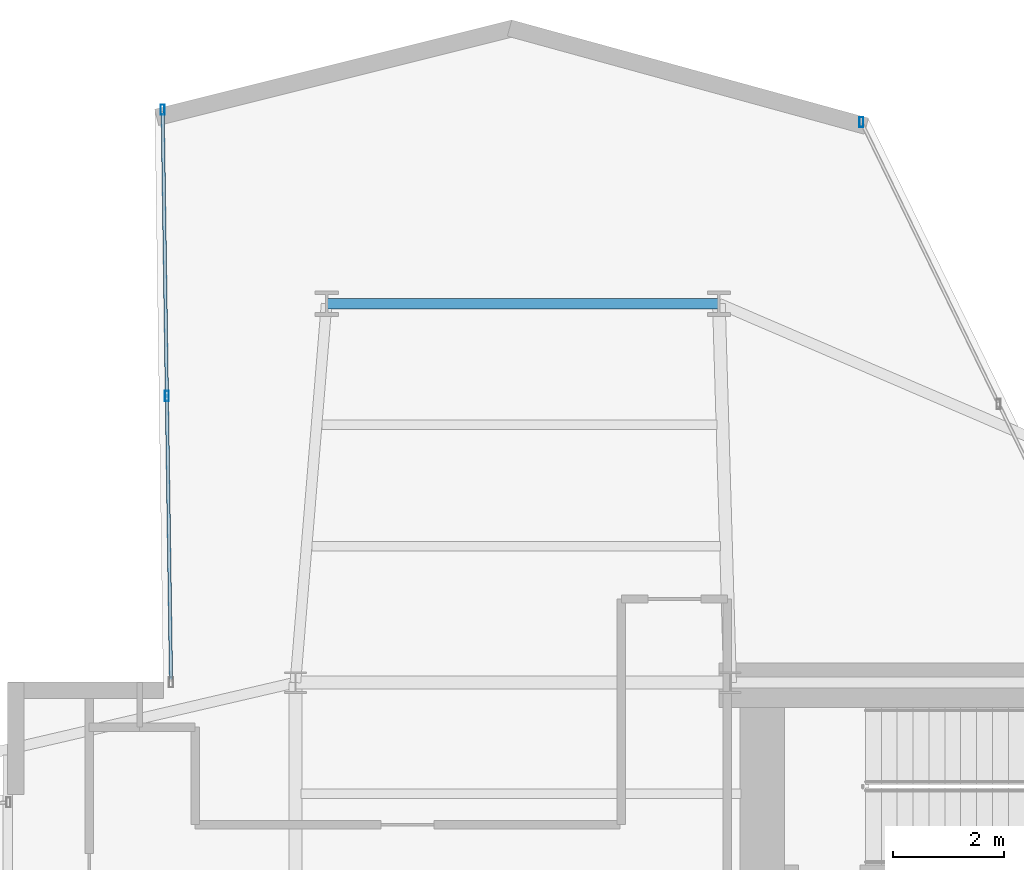
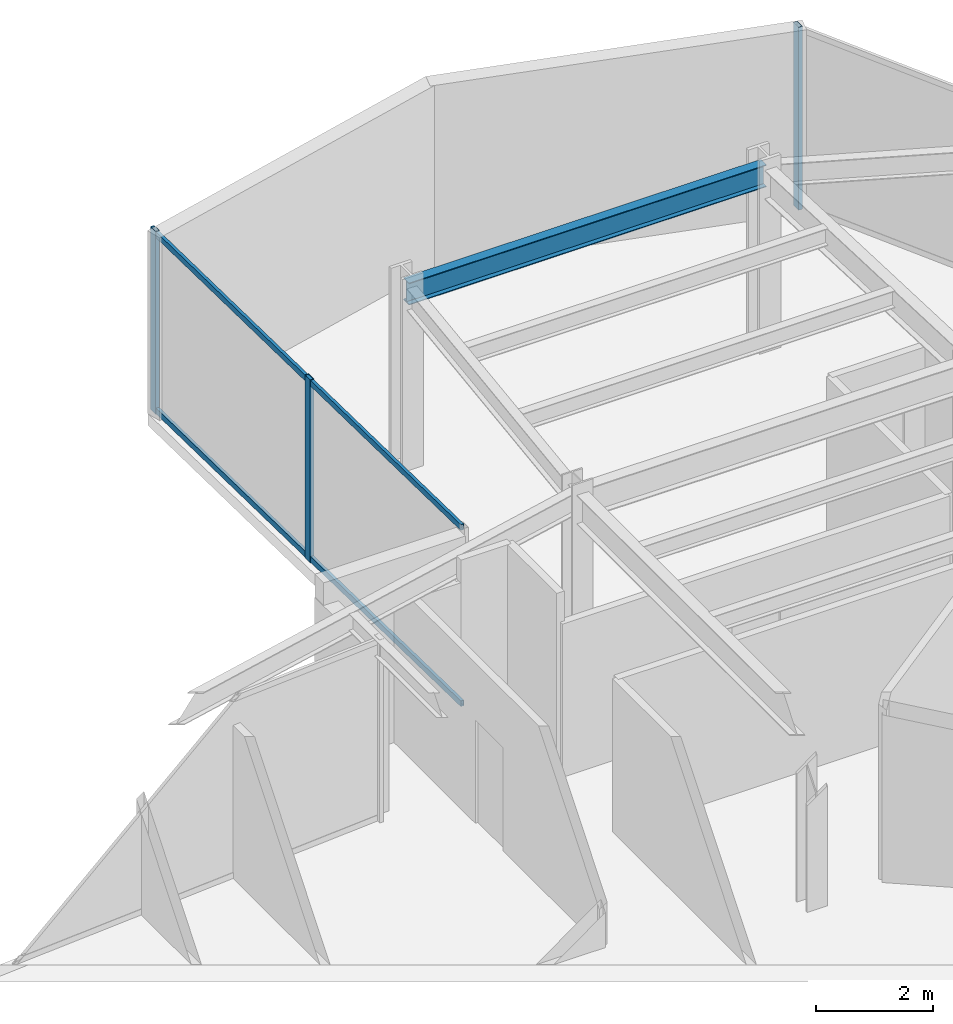
# One storey, part 18 of 25: 5 members, 1 beam, 2 elements without a shape of their own.
"""IFC4 building model written with IfcOpenShell, lengths in metres."""

from ifc_helpers import new_model, si_unit, direction, frame, origin, origin_2d, place, context, subcontext, project, spatial, hollow_rectangle, i_section, extrude, material, layer, layer_set, material_profile, profile_set, type_object, element, aggregate, save


model = new_model("IFC4")

# Units and contexts
model_context = context("Model", 3, precision=1e-05, world=origin(), true_north=direction((0.0, 1.0)))
body_context = subcontext(model_context, "Body", "Model", "MODEL_VIEW")
ifc_project = project(units=[si_unit("LENGTHUNIT", "METRE"), si_unit("AREAUNIT", "SQUARE_METRE"), si_unit("VOLUMEUNIT", "CUBIC_METRE"), si_unit("PLANEANGLEUNIT", "RADIAN"), si_unit("MASSUNIT", "GRAM", prefix="KILO")], contexts=[model_context])

# Site, building, storey
site_placement = place(None, origin())
site = spatial("IfcSite", under=ifc_project, at=site_placement, CompositionType="ELEMENT")
building_placement = place(site_placement, origin())
building = spatial("IfcBuilding", under=site, at=building_placement, Name="Veymaron Broadcast Tower", CompositionType="ELEMENT")
storey_placement = place(building_placement, frame((0.0, 0.0, 120.89990234375)))
storey = spatial("IfcBuildingStorey", under=building, at=storey_placement, Name="L27", CompositionType="ELEMENT", Elevation=120.89990234375)

# Beam
ifc_material_1 = material(Name="Structural steel ASTM A992 Gr 50", Category="steel")
ifc_material_profile_1 = material_profile(ifc_material_1, i_section(OverallWidth=0.19091796875, OverallDepth=0.4599609375, WebThickness=0.010009765625, FlangeThickness=0.01611328125, at=origin_2d()), Name="W460X82")
ifc_profile_set_1 = profile_set([ifc_material_profile_1], Name="Structural steel ASTM A992 Gr 50")
beam_type = type_object("IfcBeamType", Name="BM-SP1", PredefinedType="SPANDREL", material=ifc_profile_set_1)
beam_placement = place(storey_placement, frame((31.760009765625, 38.800048828125, 3.580078125), z_axis=(1.0, 0.0, 0.0), x_axis=(0.0, 1.0, 0.0)))
element("IfcBeam", 1, at=beam_placement, inside=storey, type_object=beam_type, Name="L27 primary structural floor girder", PredefinedType="SPANDREL", context=body_context, shape_type="SweptSolid", body=[
    extrude(i_section(OverallWidth=0.19091796875, OverallDepth=0.4599609375, WebThickness=0.010009765625, FlangeThickness=0.01611328125, at=origin_2d()), origin(), (0.0, 0.0, 1.0), 7.0400390625),
])

# Curtain wall, member
ifc_material_2 = material(Name="Anodised aluminium AA 6063-T6 and laminated low-E dark glass", Category="aluminium")
ifc_layer = layer(ifc_material_2, 0.179931640625)
ifc_layer_set = layer_set([ifc_layer], Name="Anodised aluminium AA 6063-T6 and laminated low-E dark glass")
curtain_wall_type = type_object("IfcCurtainWallType", Name="CW-SYS-03", PredefinedType="NOTDEFINED", material=ifc_layer_set)
curtain_wall_1_placement = place(storey_placement, origin())
curtain_wall_1 = element("IfcCurtainWall", 2, at=curtain_wall_1_placement, inside=storey, type_object=curtain_wall_type, Name="L27 dark-glass curtain wall CW-L27-E5-1", PredefinedType="NOTDEFINED")
ifc_material_3 = material(Name="Anodised aluminium AA 6063-T6", Category="aluminium")
ifc_material_profile_2 = material_profile(ifc_material_3, hollow_rectangle(XDim=0.074951171875, YDim=0.179931640625, WallThickness=0.0048828125, at=origin_2d()), Name="AL180X75X5")
ifc_profile_set_2 = profile_set([ifc_material_profile_2], Name="Anodised aluminium AA 6063-T6")
member_type_1 = type_object("IfcMemberType", Name="CW-MUL-02", PredefinedType="MULLION", material=ifc_profile_set_2)
member_1_placement = place(storey_placement, frame((41.356201171875, 42.05859375, 0.0), z_axis=(0.0, 0.0, 1.0), x_axis=(1.0, 0.0, 0.0)))
member_1 = element("IfcMember", 3, at=member_1_placement, type_object=member_type_1, Name="CW-L27-E5-1 mullion 2", PredefinedType="MULLION", context=body_context, shape_type="SweptSolid", body=[
    extrude(hollow_rectangle(XDim=0.074951171875, YDim=0.179931640625, WallThickness=0.0048828125, at=origin_2d()), origin(), (0.0, 0.0, 1.0), 3.81005859375),
])
aggregate(curtain_wall_1, [member_1])

# Curtain wall, members
curtain_wall_2_placement = place(storey_placement, origin())
curtain_wall_2 = element("IfcCurtainWall", 4, at=curtain_wall_2_placement, inside=storey, type_object=curtain_wall_type, Name="L27 dark-glass curtain wall CW-L27-E8-1", PredefinedType="NOTDEFINED")
member_2_placement = place(storey_placement, frame((28.81787109375, 42.281982421875, 0.0), z_axis=(0.0, 0.0, 1.0), x_axis=(1.0, 0.0, 0.0)))
member_2 = element("IfcMember", 5, at=member_2_placement, type_object=member_type_1, Name="CW-L27-E8-1 mullion 0", PredefinedType="MULLION", context=body_context, shape_type="SweptSolid", body=[
    extrude(hollow_rectangle(XDim=0.074951171875, YDim=0.179931640625, WallThickness=0.0048828125, at=origin_2d()), origin(), (0.0, 0.0, 1.0), 3.81005859375),
])
member_3_placement = place(storey_placement, frame((28.89306640625, 37.14208984375, 0.0), z_axis=(0.0, 0.0, 1.0), x_axis=(1.0, 0.0, 0.0)))
member_3 = element("IfcMember", 6, at=member_3_placement, type_object=member_type_1, Name="CW-L27-E8-1 mullion 1", PredefinedType="MULLION", context=body_context, shape_type="SweptSolid", body=[
    extrude(hollow_rectangle(XDim=0.074951171875, YDim=0.179931640625, WallThickness=0.0048828125, at=origin_2d()), origin(), (0.0, 0.0, 1.0), 3.81005859375),
])
ifc_material_profile_3 = material_profile(ifc_material_3, hollow_rectangle(XDim=0.06005859375, YDim=0.1201171875, WallThickness=0.00390625, at=origin_2d()), Name="AL120X60X4")
ifc_profile_set_3 = profile_set([ifc_material_profile_3], Name="Anodised aluminium AA 6063-T6")
member_type_2 = type_object("IfcMemberType", Name="CW-TRN-02", PredefinedType="USERDEFINED", material=ifc_profile_set_3)
member_4_placement = place(storey_placement, frame((28.818603515625, 42.23193359375, 0.070068359375), z_axis=(0.014627784613, -0.999893008235, 0.0), x_axis=(0.999893008235, 0.014627784613, 0.0)))
member_4 = element("IfcMember", 7, at=member_4_placement, type_object=member_type_2, Name="CW-L27-E8-1 transom B", ObjectType="TRANSOM", PredefinedType="USERDEFINED", context=body_context, shape_type="SweptSolid", body=[
    extrude(hollow_rectangle(XDim=0.06005859375, YDim=0.1201171875, WallThickness=0.00390625, at=origin_2d()), origin(), (0.0, 0.0, 1.0), 10.180908203125),
])
member_5_placement = place(storey_placement, frame((28.818603515625, 42.23193359375, 3.739990234375), z_axis=(0.014627784613, -0.999893008235, 0.0), x_axis=(0.999893008235, 0.014627784613, 0.0)))
member_5 = element("IfcMember", 8, at=member_5_placement, type_object=member_type_2, Name="CW-L27-E8-1 transom T", ObjectType="TRANSOM", PredefinedType="USERDEFINED", context=body_context, shape_type="SweptSolid", body=[
    extrude(hollow_rectangle(XDim=0.06005859375, YDim=0.1201171875, WallThickness=0.00390625, at=origin_2d()), origin(), (0.0, 0.0, 1.0), 10.180908203125),
])
aggregate(curtain_wall_2, [member_2, member_3, member_4, member_5])

save(model, "model.ifc")
